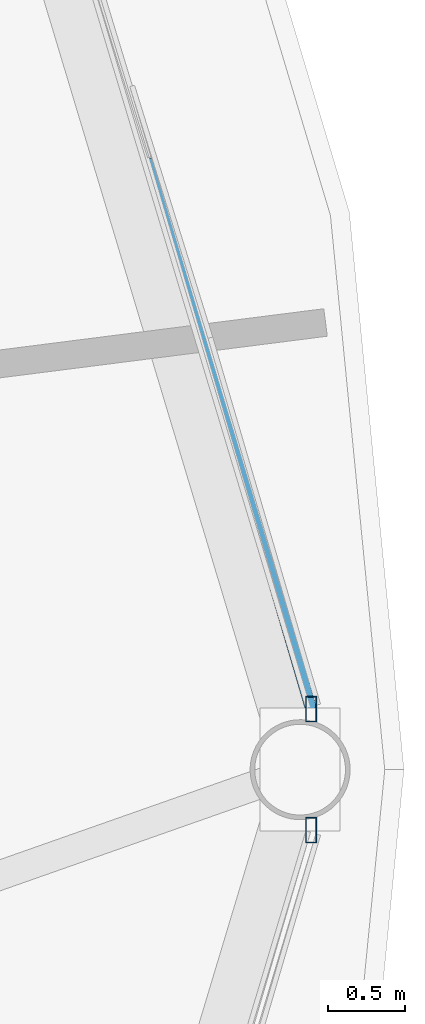
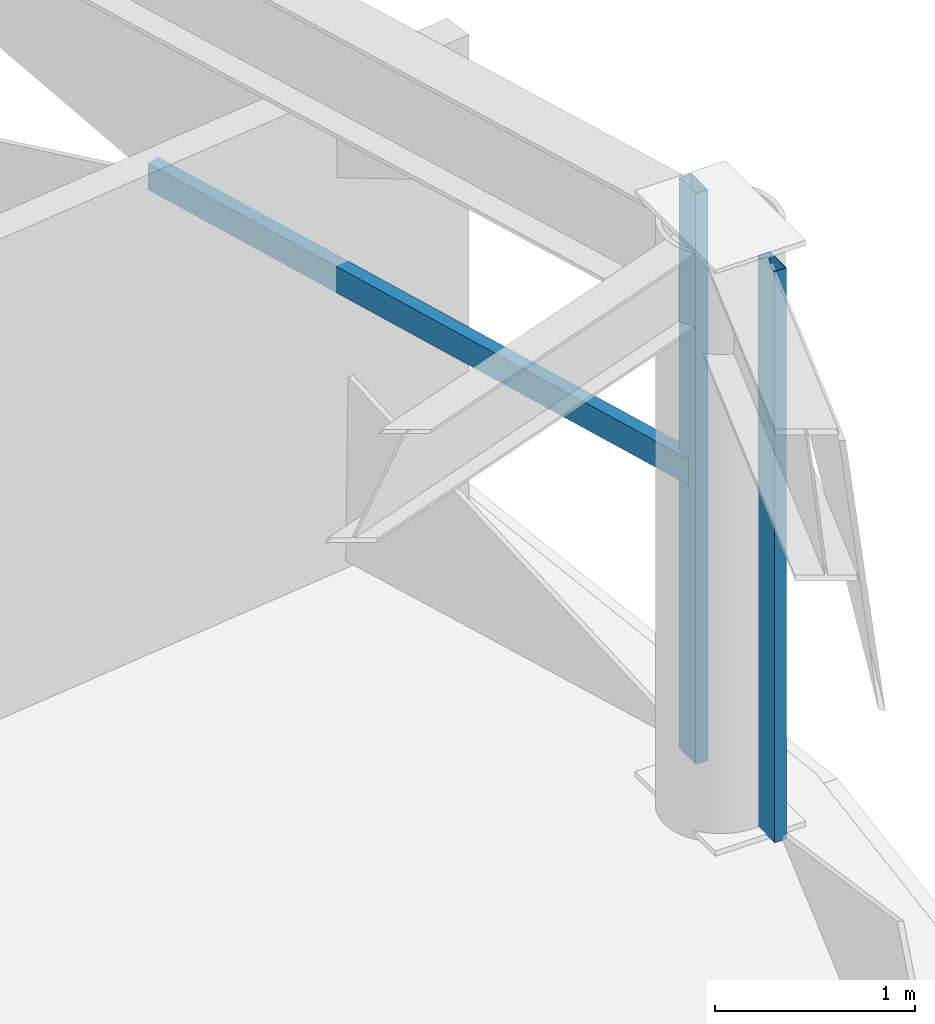
# One storey, part 14 of 30: 3 members, 2 elements without a shape of their own.
"""IFC4 building model written with IfcOpenShell, lengths in metres."""

from ifc_helpers import new_model, si_unit, direction, frame, origin, origin_2d, place, context, subcontext, project, spatial, hollow_rectangle, extrude, material, layer, layer_set, material_profile, profile_set, type_object, element, aggregate, save


model = new_model("IFC4")

# Units and contexts
model_context = context("Model", 3, precision=1e-05, world=origin(), true_north=direction((0.0, 1.0)))
body_context = subcontext(model_context, "Body", "Model", "MODEL_VIEW")
ifc_project = project(units=[si_unit("LENGTHUNIT", "METRE"), si_unit("AREAUNIT", "SQUARE_METRE"), si_unit("VOLUMEUNIT", "CUBIC_METRE"), si_unit("PLANEANGLEUNIT", "RADIAN"), si_unit("MASSUNIT", "GRAM", prefix="KILO")], contexts=[model_context])

# Site, building, storey
site_placement = place(None, origin())
site = spatial("IfcSite", under=ifc_project, at=site_placement, CompositionType="ELEMENT")
building_placement = place(site_placement, origin())
building = spatial("IfcBuilding", under=site, at=building_placement, Name="Vantalir Tower", CompositionType="ELEMENT")
storey_placement = place(building_placement, frame((0.0, 0.0, 193.64990234375)))
storey = spatial("IfcBuildingStorey", under=building, at=storey_placement, Name="L48", CompositionType="ELEMENT", Elevation=193.64990234375)

# Curtain wall, member
ifc_material_1 = material(Name="Champagne-silver PVDF aluminium and double-silver Low-E glass", Category="aluminium")
ifc_layer = layer(ifc_material_1, 0.2099609375)
ifc_layer_set = layer_set([ifc_layer], Name="Champagne-silver PVDF aluminium and double-silver Low-E glass")
curtain_wall_type = type_object("IfcCurtainWallType", Name="CW-DIAMOND-Z3", PredefinedType="USERDEFINED", material=ifc_layer_set)
curtain_wall_1_placement = place(storey_placement, origin())
curtain_wall_1 = element("IfcCurtainWall", 1, at=curtain_wall_1_placement, inside=storey, type_object=curtain_wall_type, Name="L48 Quilted Pyramid-Diamond Curtain Wall S01", ObjectType="UNITISED CURTAIN WALL", PredefinedType="USERDEFINED")
ifc_material_2 = material(Name="Champagne-silver PVDF aluminium 6063-T6", Category="aluminium")
ifc_material_profile_1 = material_profile(ifc_material_2, hollow_rectangle(XDim=0.070068359375, YDim=0.1650390625, WallThickness=0.00390625, at=origin_2d()), Name="Champagne-silver PVDF aluminium 6063-T6")
ifc_profile_set_1 = profile_set([ifc_material_profile_1], Name="Champagne-silver PVDF aluminium 6063-T6")
member_type_1 = type_object("IfcMemberType", Name="CWM-165x70", PredefinedType="MULLION", material=ifc_profile_set_1)
member_1_placement = place(storey_placement, frame((54.248046875, 25.39306640625, 0.045166015625), z_axis=(0.0, 0.0, 1.0), x_axis=(1.0, 0.0, 0.0)))
member_1 = element("IfcMember", 2, at=member_1_placement, type_object=member_type_1, Name="CW-L48-S01 Mullion 1", PredefinedType="MULLION", context=body_context, shape_type="SweptSolid", body=[
    extrude(hollow_rectangle(XDim=0.070068359375, YDim=0.1650390625, WallThickness=0.00390625, at=origin_2d()), origin(), (0.0, 0.0, 1.0), 3.47998046875),
])

curtain_wall_2_placement = place(storey_placement, origin())
curtain_wall_2 = element("IfcCurtainWall", 3, at=curtain_wall_2_placement, inside=storey, type_object=curtain_wall_type, Name="L48 Quilted Pyramid-Diamond Curtain Wall S12", ObjectType="UNITISED CURTAIN WALL", PredefinedType="USERDEFINED")
member_2_placement = place(storey_placement, frame((54.248046875, 24.60693359375, 0.045166015625), z_axis=(0.0, 0.0, 1.0), x_axis=(1.0, 0.0, 0.0)))
member_2 = element("IfcMember", 4, at=member_2_placement, type_object=member_type_1, Name="CW-L48-S12 Mullion 2", PredefinedType="MULLION", context=body_context, shape_type="SweptSolid", body=[
    extrude(hollow_rectangle(XDim=0.070068359375, YDim=0.1650390625, WallThickness=0.00390625, at=origin_2d()), origin(), (0.0, 0.0, 1.0), 3.47998046875),
])
aggregate(curtain_wall_2, [member_2])

# Member
ifc_material_profile_2 = material_profile(ifc_material_2, hollow_rectangle(XDim=0.074951171875, YDim=0.159912109375, WallThickness=0.00390625, at=origin_2d()), Name="Champagne-silver PVDF aluminium 6063-T6")
ifc_profile_set_2 = profile_set([ifc_material_profile_2], Name="Champagne-silver PVDF aluminium 6063-T6")
member_type_2 = type_object("IfcMemberType", Name="CWT-160x75", PredefinedType="USERDEFINED", material=ifc_profile_set_2)
member_3_placement = place(storey_placement, frame((54.248046875, 25.39306640625, 1.78515625), z_axis=(-0.281918134327, 0.959438463653, 0.0), x_axis=(-0.959438463653, -0.281918134327, 0.0)))
member_3 = element("IfcMember", 5, at=member_3_placement, type_object=member_type_2, Name="CW-L48-S01 Pyramid Fold Ridge Transom", ObjectType="TRANSOM", PredefinedType="USERDEFINED", context=body_context, shape_type="SweptSolid", body=[
    extrude(hollow_rectangle(XDim=0.074951171875, YDim=0.159912109375, WallThickness=0.00390625, at=origin_2d()), origin(), (0.0, 0.0, 1.0), 3.72802734375),
])

aggregate(curtain_wall_1, [member_1, member_3])

save(model, "model.ifc")
